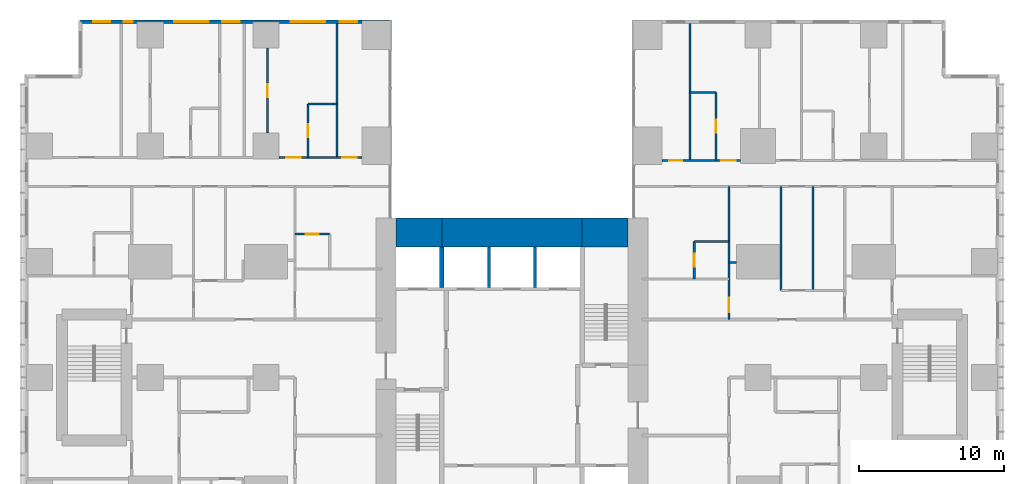
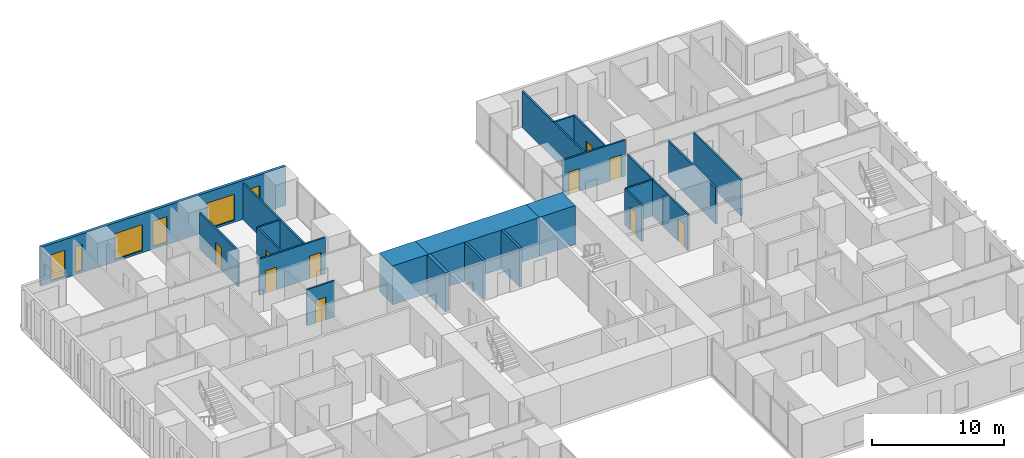
# One storey, part 17 of 20: 23 walls, 10 doors, 6 windows, 16 openings.
"""IFC4 building model written with IfcOpenShell, lengths in metres."""

from ifc_helpers import new_model, si_unit, direction, frame, frame_2d, origin, place, context, subcontext, project, spatial, rectangle, extrude, material, layer, layer_set, type_object, element, fill, save


model = new_model("IFC4")

# Units and contexts
model_context = context("Model", 3, precision=1e-05, world=origin(), true_north=direction((0.0, 1.0)))
body_context = subcontext(model_context, "Body", "Model", "MODEL_VIEW")
ifc_project = project(units=[si_unit("LENGTHUNIT", "METRE"), si_unit("AREAUNIT", "SQUARE_METRE"), si_unit("VOLUMEUNIT", "CUBIC_METRE"), si_unit("PLANEANGLEUNIT", "RADIAN"), si_unit("MASSUNIT", "GRAM", prefix="KILO")], contexts=[model_context])

# Site, building, storey
site_placement = place(None, origin())
site = spatial("IfcSite", under=ifc_project, at=site_placement, CompositionType="ELEMENT")
building_placement = place(site_placement, origin())
building = spatial("IfcBuilding", under=site, at=building_placement, Name="Cleftline Residences", CompositionType="ELEMENT")
storey_placement = place(building_placement, frame((0.0, 0.0, 203.800048828125)))
storey = spatial("IfcBuildingStorey", under=building, at=storey_placement, Name="L53", CompositionType="ELEMENT", Elevation=203.800048828125)

# Walls
ifc_material_1 = material(Name="Concrete B70", Category="concrete")
ifc_layer_1 = layer(ifc_material_1, 2.0)
ifc_layer_set_1 = layer_set([ifc_layer_1], Name="CORE WALL 2000")
wall_type_1 = type_object("IfcWallType", Name="CORE WALL 2000", PredefinedType="SHEAR", material=ifc_layer_set_1)
wall_1_placement = place(storey_placement, frame((25.0, 34.0, 0.0), z_axis=(0.0, 0.0, 1.0), x_axis=(1.0, 0.0, 0.0)))
element("IfcWall", 1, at=wall_1_placement, inside=storey, type_object=wall_type_1, Name="Core wall N1", PredefinedType="SHEAR", context=body_context, shape_type="SweptSolid", body=[
    extrude(rectangle(XDim=3.14990234375, YDim=2.0, at=frame_2d((1.574951171875, 0.0))), origin(), (0.0, 0.0, 1.0), 3.599853515625),
])
wall_2_placement = place(storey_placement, frame((28.14990234375, 34.0, 0.0), z_axis=(0.0, 0.0, 1.0), x_axis=(1.0, 0.0, 0.0)))
element("IfcWall", 2, at=wall_2_placement, inside=storey, type_object=wall_type_1, Name="Core wall N2", PredefinedType="SHEAR", context=body_context, shape_type="SweptSolid", body=[
    extrude(rectangle(XDim=9.7001953125, YDim=2.0, at=frame_2d((4.85009765625, 0.0))), origin(), (0.0, 0.0, 1.0), 3.599853515625),
])
wall_3_placement = place(storey_placement, frame((37.85009765625, 34.0, 0.0), z_axis=(0.0, 0.0, 1.0), x_axis=(1.0, 0.0, 0.0)))
element("IfcWall", 3, at=wall_3_placement, inside=storey, type_object=wall_type_1, Name="Core wall N3", PredefinedType="SHEAR", context=body_context, shape_type="SweptSolid", body=[
    extrude(rectangle(XDim=3.14990234375, YDim=2.0, at=frame_2d((1.574951171875, 0.0))), origin(), (0.0, 0.0, 1.0), 3.599853515625),
])
ifc_material_2 = material(Name="Concrete B70", Category="concrete")
ifc_layer_2 = layer(ifc_material_2, 0.300048828125)
ifc_layer_set_2 = layer_set([ifc_layer_2], Name="CORE WALL 300")
wall_type_2 = type_object("IfcWallType", Name="CORE WALL 300", PredefinedType="SHEAR", material=ifc_layer_set_2)
wall_4_placement = place(storey_placement, frame((28.14990234375, 30.199951171875, 0.0), z_axis=(0.0, 0.0, 1.0), x_axis=(0.0, 1.0, 0.0)))
element("IfcWall", 4, at=wall_4_placement, inside=storey, type_object=wall_type_2, Name="Lift shaft wall", PredefinedType="SHEAR", context=body_context, shape_type="SweptSolid", body=[
    extrude(rectangle(XDim=2.800048828125, YDim=0.300048828125, at=frame_2d((1.39990234375, 0.0))), origin(), (0.0, 0.0, 1.0), 3.599853515625),
])

# Wall, openings, windows
ifc_material_3 = material(Name="Rendered reinforced concrete blockwork", Category="masonry")
ifc_layer_3 = layer(ifc_material_3, 0.25)
ifc_layer_set_3 = layer_set([ifc_layer_3], Name="EXTERNAL WALL 250")
wall_type_3 = type_object("IfcWallType", Name="EXTERNAL WALL 250", PredefinedType="SOLIDWALL", material=ifc_layer_set_3)
wall_5_placement = place(storey_placement, frame((24.574951171875, 48.574951171875, 0.0), z_axis=(0.0, 0.0, 1.0), x_axis=(-1.0, 0.0, 0.0)))
wall_5 = element("IfcWall", 5, at=wall_5_placement, inside=storey, type_object=wall_type_3, Name="External wall", PredefinedType="SOLIDWALL", context=body_context, shape_type="SweptSolid", body=[
    extrude(rectangle(XDim=21.39990234375, YDim=0.25, at=frame_2d((10.699951171875, 0.0))), origin(), (0.0, 0.0, 1.0), 3.599853515625),
])
opening_1_placement = place(wall_5_placement, frame((2.27490234375, 0.0, 0.199951171875)))
opening_1 = element("IfcOpeningElement", 6, at=opening_1_placement, cuts=wall_5, Name="Opening W13", PredefinedType="OPENING", context=body_context, shape_type="SweptSolid", body=[
    extrude(rectangle(XDim=1.199951171875, YDim=2.39990234375, at=frame_2d((0.60009765625, 1.199951171875))), frame((0.0, 0.135009765625, 0.0), z_axis=(0.0, -1.0, 0.0), x_axis=(1.0, 0.0, 0.0)), (0.0, 0.0, 1.0), 0.27001953125),
])
opening_2_placement = place(wall_5_placement, frame((4.47509765625, 0.0, 0.199951171875)))
opening_2 = element("IfcOpeningElement", 7, at=opening_2_placement, cuts=wall_5, Name="Opening W9", PredefinedType="OPENING", context=body_context, shape_type="SweptSolid", body=[
    extrude(rectangle(XDim=2.39990234375, YDim=2.39990234375, at=frame_2d((1.199951171875, 1.199951171875))), frame((0.0, 0.135009765625, 0.0), z_axis=(0.0, -1.0, 0.0), x_axis=(1.0, 0.0, 0.0)), (0.0, 0.0, 1.0), 0.27001953125),
])
opening_3_placement = place(wall_5_placement, frame((10.39990234375, 0.0, 0.199951171875)))
opening_3 = element("IfcOpeningElement", 8, at=opening_3_placement, cuts=wall_5, Name="Opening W13", PredefinedType="OPENING", context=body_context, shape_type="SweptSolid", body=[
    extrude(rectangle(XDim=1.199951171875, YDim=2.39990234375, at=frame_2d((0.60009765625, 1.199951171875))), frame((0.0, 0.135009765625, 0.0), z_axis=(0.0, -1.0, 0.0), x_axis=(1.0, 0.0, 0.0)), (0.0, 0.0, 1.0), 0.27001953125),
])
opening_4_placement = place(wall_5_placement, frame((12.52490234375, 0.0, 0.199951171875)))
opening_4 = element("IfcOpeningElement", 9, at=opening_4_placement, cuts=wall_5, Name="Opening W9", PredefinedType="OPENING", context=body_context, shape_type="SweptSolid", body=[
    extrude(rectangle(XDim=2.39990234375, YDim=2.39990234375, at=frame_2d((1.199951171875, 1.199951171875))), frame((0.0, 0.135009765625, 0.0), z_axis=(0.0, -1.0, 0.0), x_axis=(1.0, 0.0, 0.0)), (0.0, 0.0, 1.0), 0.27001953125),
])
opening_5_placement = place(wall_5_placement, frame((17.800048828125, 0.0, 0.199951171875)))
opening_5 = element("IfcOpeningElement", 10, at=opening_5_placement, cuts=wall_5, Name="Opening W14", PredefinedType="OPENING", context=body_context, shape_type="SweptSolid", body=[
    extrude(rectangle(XDim=0.60009765625, YDim=2.39990234375, at=frame_2d((0.300048828125, 1.199951171875))), frame((0.0, 0.135009765625, 0.0), z_axis=(0.0, -1.0, 0.0), x_axis=(1.0, 0.0, 0.0)), (0.0, 0.0, 1.0), 0.27001953125),
])
opening_6_placement = place(wall_5_placement, frame((19.324951171875, 0.0, 0.199951171875)))
opening_6 = element("IfcOpeningElement", 11, at=opening_6_placement, cuts=wall_5, Name="Opening W13", PredefinedType="OPENING", context=body_context, shape_type="SweptSolid", body=[
    extrude(rectangle(XDim=1.199951171875, YDim=2.39990234375, at=frame_2d((0.60009765625, 1.199951171875))), frame((0.0, 0.135009765625, 0.0), z_axis=(0.0, -1.0, 0.0), x_axis=(1.0, 0.0, 0.0)), (0.0, 0.0, 1.0), 0.27001953125),
])
ifc_material_4 = material(Name="Aluminium frame, clear double glazing", Category="aluminium")
window_type_1 = type_object("IfcWindowType", Name="WINDOW 1200X2400", PartitioningType="DOUBLE_PANEL_VERTICAL", PredefinedType="WINDOW", material=ifc_material_4)
window_1_placement = place(opening_1_placement, origin())
window_1 = element("IfcWindow", 12, at=window_1_placement, inside=storey, type_object=window_type_1, Name="Window", OverallHeight=2.39990234375, OverallWidth=1.199951171875, PartitioningType="SINGLE_PANEL", PredefinedType="WINDOW", context=body_context, shape_type="SweptSolid", body=[
    extrude(rectangle(XDim=1.199951171875, YDim=2.39990234375, at=frame_2d((0.60009765625, 1.199951171875))), frame((0.0, 0.030029296875, 0.0), z_axis=(0.0, -1.0, 0.0), x_axis=(1.0, 0.0, 0.0)), (0.0, 0.0, 1.0), 0.06005859375),
])
fill(opening_1, window_1)
window_2_placement = place(opening_3_placement, origin())
window_2 = element("IfcWindow", 13, at=window_2_placement, inside=storey, type_object=window_type_1, Name="Window", OverallHeight=2.39990234375, OverallWidth=1.199951171875, PartitioningType="SINGLE_PANEL", PredefinedType="WINDOW", context=body_context, shape_type="SweptSolid", body=[
    extrude(rectangle(XDim=1.199951171875, YDim=2.39990234375, at=frame_2d((0.60009765625, 1.199951171875))), frame((0.0, 0.030029296875, 0.0), z_axis=(0.0, -1.0, 0.0), x_axis=(1.0, 0.0, 0.0)), (0.0, 0.0, 1.0), 0.06005859375),
])
fill(opening_3, window_2)
window_3_placement = place(opening_6_placement, origin())
window_3 = element("IfcWindow", 14, at=window_3_placement, inside=storey, type_object=window_type_1, Name="Window", OverallHeight=2.39990234375, OverallWidth=1.199951171875, PartitioningType="SINGLE_PANEL", PredefinedType="WINDOW", context=body_context, shape_type="SweptSolid", body=[
    extrude(rectangle(XDim=1.199951171875, YDim=2.39990234375, at=frame_2d((0.60009765625, 1.199951171875))), frame((0.0, 0.030029296875, 0.0), z_axis=(0.0, -1.0, 0.0), x_axis=(1.0, 0.0, 0.0)), (0.0, 0.0, 1.0), 0.06005859375),
])
fill(opening_6, window_3)
ifc_material_5 = material(Name="Aluminium frame, clear double glazing", Category="aluminium")
window_type_2 = type_object("IfcWindowType", Name="WINDOW 2400X2400", PartitioningType="DOUBLE_PANEL_VERTICAL", PredefinedType="WINDOW", material=ifc_material_5)
window_4_placement = place(opening_2_placement, origin())
window_4 = element("IfcWindow", 15, at=window_4_placement, inside=storey, type_object=window_type_2, Name="Window", OverallHeight=2.39990234375, OverallWidth=2.39990234375, PartitioningType="SINGLE_PANEL", PredefinedType="WINDOW", context=body_context, shape_type="SweptSolid", body=[
    extrude(rectangle(XDim=2.39990234375, YDim=2.39990234375, at=frame_2d((1.199951171875, 1.199951171875))), frame((0.0, 0.030029296875, 0.0), z_axis=(0.0, -1.0, 0.0), x_axis=(1.0, 0.0, 0.0)), (0.0, 0.0, 1.0), 0.06005859375),
])
fill(opening_2, window_4)
window_5_placement = place(opening_4_placement, origin())
window_5 = element("IfcWindow", 16, at=window_5_placement, inside=storey, type_object=window_type_2, Name="Window", OverallHeight=2.39990234375, OverallWidth=2.39990234375, PartitioningType="SINGLE_PANEL", PredefinedType="WINDOW", context=body_context, shape_type="SweptSolid", body=[
    extrude(rectangle(XDim=2.39990234375, YDim=2.39990234375, at=frame_2d((1.199951171875, 1.199951171875))), frame((0.0, 0.030029296875, 0.0), z_axis=(0.0, -1.0, 0.0), x_axis=(1.0, 0.0, 0.0)), (0.0, 0.0, 1.0), 0.06005859375),
])
fill(opening_4, window_5)
ifc_material_6 = material(Name="Aluminium frame, clear double glazing", Category="aluminium")
window_type_3 = type_object("IfcWindowType", Name="WINDOW 600X2400", PartitioningType="DOUBLE_PANEL_VERTICAL", PredefinedType="WINDOW", material=ifc_material_6)
window_6_placement = place(opening_5_placement, origin())
window_6 = element("IfcWindow", 17, at=window_6_placement, inside=storey, type_object=window_type_3, Name="Window", OverallHeight=2.39990234375, OverallWidth=0.60009765625, PartitioningType="SINGLE_PANEL", PredefinedType="WINDOW", context=body_context, shape_type="SweptSolid", body=[
    extrude(rectangle(XDim=0.60009765625, YDim=2.39990234375, at=frame_2d((0.300048828125, 1.199951171875))), frame((0.0, 0.030029296875, 0.0), z_axis=(0.0, -1.0, 0.0), x_axis=(1.0, 0.0, 0.0)), (0.0, 0.0, 1.0), 0.06005859375),
])
fill(opening_5, window_6)

# Walls
ifc_material_7 = material(Name="Gypsum board on steel studs", Category="steel")
ifc_layer_4 = layer(ifc_material_7, 0.14990234375)
ifc_layer_set_4 = layer_set([ifc_layer_4], Name="PARTITION 150")
wall_type_4 = type_object("IfcWallType", Name="PARTITION 150", PredefinedType="PARTITIONING", material=ifc_layer_set_4)
wall_6_placement = place(storey_placement, frame((48.0, 31.949951171875, 0.0), z_axis=(0.0, 0.0, 1.0), x_axis=(1.0, 0.0, 0.0)))
element("IfcWall", 18, at=wall_6_placement, inside=storey, type_object=wall_type_4, Name="Partition", PredefinedType="PARTITIONING", context=body_context, shape_type="SweptSolid", body=[
    extrude(rectangle(XDim=0.5, YDim=0.14990234375, at=frame_2d((0.25, 0.0))), origin(), (0.0, 0.0, 1.0), 2.634033203125),
])
wall_7_placement = place(storey_placement, frame((45.60009765625, 33.39990234375, 0.0), z_axis=(0.0, 0.0, 1.0), x_axis=(1.0, 0.0, 0.0)))
element("IfcWall", 19, at=wall_7_placement, inside=storey, type_object=wall_type_4, Name="Partition", PredefinedType="PARTITIONING", context=body_context, shape_type="SweptSolid", body=[
    extrude(rectangle(XDim=2.39990234375, YDim=0.14990234375, at=frame_2d((1.199951171875, 0.0))), origin(), (0.0, 0.0, 1.0), 3.349853515625),
])

# Wall, opening, door
wall_8_placement = place(storey_placement, frame((18.0, 33.89990234375, 0.0), z_axis=(0.0, 0.0, 1.0), x_axis=(1.0, 0.0, 0.0)))
wall_8 = element("IfcWall", 20, at=wall_8_placement, inside=storey, type_object=wall_type_4, Name="Partition", PredefinedType="PARTITIONING", context=body_context, shape_type="SweptSolid", body=[
    extrude(rectangle(XDim=2.39990234375, YDim=0.14990234375, at=frame_2d((1.199951171875, 0.0))), origin(), (0.0, 0.0, 1.0), 3.349853515625),
])
opening_7_placement = place(wall_8_placement, frame((0.75, 0.0, 0.0)))
opening_7 = element("IfcOpeningElement", 21, at=opening_7_placement, cuts=wall_8, Name="Opening D1", PredefinedType="OPENING", context=body_context, shape_type="SweptSolid", body=[
    extrude(rectangle(XDim=0.89990234375, YDim=2.10009765625, at=frame_2d((0.449951171875, 1.050048828125))), frame((0.0, 0.0849609375, 0.0), z_axis=(0.0, -1.0, 0.0), x_axis=(1.0, 0.0, 0.0)), (0.0, 0.0, 1.0), 0.169921875),
])
ifc_material_8 = material(Name="Timber veneer on solid core", Category="wood")
door_type_1 = type_object("IfcDoorType", Name="DOOR 900X2100", OperationType="SINGLE_SWING_LEFT", PredefinedType="DOOR", material=ifc_material_8)
door_1_placement = place(opening_7_placement, origin())
door_1 = element("IfcDoor", 22, at=door_1_placement, inside=storey, type_object=door_type_1, Name="Door to staff shower room", OperationType="SINGLE_SWING_LEFT", OverallHeight=2.10009765625, OverallWidth=0.89990234375, PredefinedType="DOOR", context=body_context, shape_type="SweptSolid", body=[
    extrude(rectangle(XDim=0.89990234375, YDim=2.10009765625, at=frame_2d((0.449951171875, 1.050048828125))), frame((0.0, 0.02490234375, 0.0), z_axis=(0.0, -1.0, 0.0), x_axis=(1.0, 0.0, 0.0)), (0.0, 0.0, 1.0), 0.050048828125),
])
fill(opening_7, door_1)

# Wall, openings, doors
wall_9_placement = place(storey_placement, frame((43.35009765625, 39.0, 0.0), z_axis=(0.0, 0.0, 1.0), x_axis=(1.0, 0.0, 0.0)))
wall_9 = element("IfcWall", 23, at=wall_9_placement, inside=storey, type_object=wall_type_4, Name="Partition", PredefinedType="PARTITIONING", context=body_context, shape_type="SweptSolid", body=[
    extrude(rectangle(XDim=5.449951171875, YDim=0.14990234375, at=frame_2d((2.72509765625, 0.0))), origin(), (0.0, 0.0, 1.0), 3.349853515625),
])
opening_8_placement = place(wall_9_placement, frame((4.10009765625, 0.0, 0.0)))
opening_8 = element("IfcOpeningElement", 24, at=opening_8_placement, cuts=wall_9, Name="Opening D2", PredefinedType="OPENING", context=body_context, shape_type="SweptSolid", body=[
    extrude(rectangle(XDim=1.0, YDim=2.10009765625, at=frame_2d((0.5, 1.050048828125))), frame((0.0, 0.0849609375, 0.0), z_axis=(0.0, -1.0, 0.0), x_axis=(1.0, 0.0, 0.0)), (0.0, 0.0, 1.0), 0.169921875),
])
opening_9_placement = place(wall_9_placement, frame((0.52490234375, 0.0, 0.0)))
opening_9 = element("IfcOpeningElement", 25, at=opening_9_placement, cuts=wall_9, Name="Opening D1", PredefinedType="OPENING", context=body_context, shape_type="SweptSolid", body=[
    extrude(rectangle(XDim=0.89990234375, YDim=2.10009765625, at=frame_2d((0.449951171875, 1.050048828125))), frame((0.0, 0.0849609375, 0.0), z_axis=(0.0, -1.0, 0.0), x_axis=(1.0, 0.0, 0.0)), (0.0, 0.0, 1.0), 0.169921875),
])
ifc_material_9 = material(Name="Timber veneer on solid core", Category="wood")
door_type_2 = type_object("IfcDoorType", Name="DOOR 1000X2100", OperationType="SINGLE_SWING_LEFT", PredefinedType="DOOR", material=ifc_material_9)
door_2_placement = place(opening_8_placement, origin())
door_2 = element("IfcDoor", 26, at=door_2_placement, inside=storey, type_object=door_type_2, Name="Door to bedroom 3", OperationType="SINGLE_SWING_LEFT", OverallHeight=2.10009765625, OverallWidth=1.0, PredefinedType="DOOR", context=body_context, shape_type="SweptSolid", body=[
    extrude(rectangle(XDim=1.0, YDim=2.10009765625, at=frame_2d((0.5, 1.050048828125))), frame((0.0, 0.02490234375, 0.0), z_axis=(0.0, -1.0, 0.0), x_axis=(1.0, 0.0, 0.0)), (0.0, 0.0, 1.0), 0.050048828125),
])
fill(opening_8, door_2)
door_3_placement = place(opening_9_placement, origin())
door_3 = element("IfcDoor", 27, at=door_3_placement, inside=storey, type_object=door_type_1, Name="Door to dressing room", OperationType="SINGLE_SWING_RIGHT", OverallHeight=2.10009765625, OverallWidth=0.89990234375, PredefinedType="DOOR", context=body_context, shape_type="SweptSolid", body=[
    extrude(rectangle(XDim=0.89990234375, YDim=2.10009765625, at=frame_2d((0.449951171875, 1.050048828125))), frame((0.0, 0.02490234375, 0.0), z_axis=(0.0, -1.0, 0.0), x_axis=(1.0, 0.0, 0.0)), (0.0, 0.0, 1.0), 0.050048828125),
])
fill(opening_9, door_3)

wall_10_placement = place(storey_placement, frame((16.89990234375, 39.199951171875, 0.0), z_axis=(0.0, 0.0, 1.0), x_axis=(1.0, 0.0, 0.0)))
wall_10 = element("IfcWall", 28, at=wall_10_placement, inside=storey, type_object=wall_type_4, Name="Partition", PredefinedType="PARTITIONING", context=body_context, shape_type="SweptSolid", body=[
    extrude(rectangle(XDim=5.75, YDim=0.14990234375, at=frame_2d((2.875, 0.0))), origin(), (0.0, 0.0, 1.0), 3.349853515625),
])
opening_10_placement = place(wall_10_placement, frame((0.5, 0.0, 0.0)))
opening_10 = element("IfcOpeningElement", 29, at=opening_10_placement, cuts=wall_10, Name="Opening D2", PredefinedType="OPENING", context=body_context, shape_type="SweptSolid", body=[
    extrude(rectangle(XDim=1.0, YDim=2.10009765625, at=frame_2d((0.5, 1.050048828125))), frame((0.0, 0.0849609375, 0.0), z_axis=(0.0, -1.0, 0.0), x_axis=(1.0, 0.0, 0.0)), (0.0, 0.0, 1.0), 0.169921875),
])
opening_11_placement = place(wall_10_placement, frame((4.375, 0.0, 0.0)))
opening_11 = element("IfcOpeningElement", 30, at=opening_11_placement, cuts=wall_10, Name="Opening D2", PredefinedType="OPENING", context=body_context, shape_type="SweptSolid", body=[
    extrude(rectangle(XDim=1.0, YDim=2.10009765625, at=frame_2d((0.5, 1.050048828125))), frame((0.0, 0.0849609375, 0.0), z_axis=(0.0, -1.0, 0.0), x_axis=(1.0, 0.0, 0.0)), (0.0, 0.0, 1.0), 0.169921875),
])
door_4_placement = place(opening_10_placement, origin())
door_4 = element("IfcDoor", 31, at=door_4_placement, inside=storey, type_object=door_type_2, Name="Door to bedroom 3", OperationType="SINGLE_SWING_RIGHT", OverallHeight=2.10009765625, OverallWidth=1.0, PredefinedType="DOOR", context=body_context, shape_type="SweptSolid", body=[
    extrude(rectangle(XDim=1.0, YDim=2.10009765625, at=frame_2d((0.5, 1.050048828125))), frame((0.0, 0.02490234375, 0.0), z_axis=(0.0, -1.0, 0.0), x_axis=(1.0, 0.0, 0.0)), (0.0, 0.0, 1.0), 0.050048828125),
])
fill(opening_10, door_4)
door_5_placement = place(opening_11_placement, origin())
door_5 = element("IfcDoor", 32, at=door_5_placement, inside=storey, type_object=door_type_2, Name="Door to bedroom 3 sitting room", OperationType="SINGLE_SWING_LEFT", OverallHeight=2.10009765625, OverallWidth=1.0, PredefinedType="DOOR", context=body_context, shape_type="SweptSolid", body=[
    extrude(rectangle(XDim=1.0, YDim=2.10009765625, at=frame_2d((0.5, 1.050048828125))), frame((0.0, 0.02490234375, 0.0), z_axis=(0.0, -1.0, 0.0), x_axis=(1.0, 0.0, 0.0)), (0.0, 0.0, 1.0), 0.050048828125),
])
fill(opening_11, door_5)

# Walls
wall_11_placement = place(storey_placement, frame((18.89990234375, 42.89990234375, 0.0), z_axis=(0.0, 0.0, 1.0), x_axis=(1.0, 0.0, 0.0)))
element("IfcWall", 33, at=wall_11_placement, inside=storey, type_object=wall_type_4, Name="Partition", PredefinedType="PARTITIONING", context=body_context, shape_type="SweptSolid", body=[
    extrude(rectangle(XDim=2.0, YDim=0.14990234375, at=frame_2d((1.0, 0.0))), origin(), (0.0, 0.0, 1.0), 3.349853515625),
])
wall_12_placement = place(storey_placement, frame((45.300048828125, 43.699951171875, 0.0), z_axis=(0.0, 0.0, 1.0), x_axis=(1.0, 0.0, 0.0)))
element("IfcWall", 34, at=wall_12_placement, inside=storey, type_object=wall_type_4, Name="Partition", PredefinedType="PARTITIONING", context=body_context, shape_type="SweptSolid", body=[
    extrude(rectangle(XDim=1.800048828125, YDim=0.14990234375, at=frame_2d((0.89990234375, 0.0))), origin(), (0.0, 0.0, 1.0), 3.349853515625),
])

# Wall, opening, door
wall_13_placement = place(storey_placement, frame((16.10009765625, 40.89990234375, 0.0), z_axis=(0.0, 0.0, 1.0), x_axis=(0.0, 1.0, 0.0)))
wall_13 = element("IfcWall", 35, at=wall_13_placement, inside=storey, type_object=wall_type_4, Name="Partition", PredefinedType="PARTITIONING", context=body_context, shape_type="SweptSolid", body=[
    extrude(rectangle(XDim=5.85009765625, YDim=0.14990234375, at=frame_2d((2.925048828125, 0.0))), origin(), (0.0, 0.0, 1.0), 3.349853515625),
])
opening_12_placement = place(wall_13_placement, frame((2.47509765625, 0.0, 0.0)))
opening_12 = element("IfcOpeningElement", 36, at=opening_12_placement, cuts=wall_13, Name="Opening D1", PredefinedType="OPENING", context=body_context, shape_type="SweptSolid", body=[
    extrude(rectangle(XDim=0.89990234375, YDim=2.10009765625, at=frame_2d((0.449951171875, 1.050048828125))), frame((0.0, 0.0849609375, 0.0), z_axis=(0.0, -1.0, 0.0), x_axis=(1.0, 0.0, 0.0)), (0.0, 0.0, 1.0), 0.169921875),
])
door_6_placement = place(opening_12_placement, origin())
door_6 = element("IfcDoor", 37, at=door_6_placement, inside=storey, type_object=door_type_1, Name="Door to walk-in wardrobe", OperationType="SINGLE_SWING_LEFT", OverallHeight=2.10009765625, OverallWidth=0.89990234375, PredefinedType="DOOR", context=body_context, shape_type="SweptSolid", body=[
    extrude(rectangle(XDim=0.89990234375, YDim=2.10009765625, at=frame_2d((0.449951171875, 1.050048828125))), frame((0.0, 0.02490234375, 0.0), z_axis=(0.0, -1.0, 0.0), x_axis=(1.0, 0.0, 0.0)), (0.0, 0.0, 1.0), 0.050048828125),
])
fill(opening_12, door_6)

wall_14_placement = place(storey_placement, frame((18.89990234375, 39.199951171875, 0.0), z_axis=(0.0, 0.0, 1.0), x_axis=(0.0, 1.0, 0.0)))
wall_14 = element("IfcWall", 38, at=wall_14_placement, inside=storey, type_object=wall_type_4, Name="Partition", PredefinedType="PARTITIONING", context=body_context, shape_type="SweptSolid", body=[
    extrude(rectangle(XDim=3.699951171875, YDim=0.14990234375, at=frame_2d((1.85009765625, 0.0))), origin(), (0.0, 0.0, 1.0), 3.349853515625),
])
opening_13_placement = place(wall_14_placement, frame((1.39990234375, 0.0, 0.0)))
opening_13 = element("IfcOpeningElement", 39, at=opening_13_placement, cuts=wall_14, Name="Opening D1", PredefinedType="OPENING", context=body_context, shape_type="SweptSolid", body=[
    extrude(rectangle(XDim=0.89990234375, YDim=2.10009765625, at=frame_2d((0.449951171875, 1.050048828125))), frame((0.0, 0.0849609375, 0.0), z_axis=(0.0, -1.0, 0.0), x_axis=(1.0, 0.0, 0.0)), (0.0, 0.0, 1.0), 0.169921875),
])
door_7_placement = place(opening_13_placement, origin())
door_7 = element("IfcDoor", 40, at=door_7_placement, inside=storey, type_object=door_type_1, Name="Door to en-suite bathroom 3", OperationType="SINGLE_SWING_LEFT", OverallHeight=2.10009765625, OverallWidth=0.89990234375, PredefinedType="DOOR", context=body_context, shape_type="SweptSolid", body=[
    extrude(rectangle(XDim=0.89990234375, YDim=2.10009765625, at=frame_2d((0.449951171875, 1.050048828125))), frame((0.0, 0.02490234375, 0.0), z_axis=(0.0, -1.0, 0.0), x_axis=(1.0, 0.0, 0.0)), (0.0, 0.0, 1.0), 0.050048828125),
])
fill(opening_13, door_7)

# Walls
wall_15_placement = place(storey_placement, frame((20.89990234375, 39.199951171875, 0.0), z_axis=(0.0, 0.0, 1.0), x_axis=(0.0, 1.0, 0.0)))
element("IfcWall", 41, at=wall_15_placement, inside=storey, type_object=wall_type_4, Name="Partition", PredefinedType="PARTITIONING", context=body_context, shape_type="SweptSolid", body=[
    extrude(rectangle(XDim=9.25, YDim=0.14990234375, at=frame_2d((4.625, 0.0))), origin(), (0.0, 0.0, 1.0), 3.349853515625),
])
wall_16_placement = place(storey_placement, frame((45.300048828125, 39.0, 0.0), z_axis=(0.0, 0.0, 1.0), x_axis=(0.0, 1.0, 0.0)))
element("IfcWall", 42, at=wall_16_placement, inside=storey, type_object=wall_type_4, Name="Partition", PredefinedType="PARTITIONING", context=body_context, shape_type="SweptSolid", body=[
    extrude(rectangle(XDim=9.449951171875, YDim=0.14990234375, at=frame_2d((4.72509765625, 0.0))), origin(), (0.0, 0.0, 1.0), 3.349853515625),
])

# Wall, opening, door
wall_17_placement = place(storey_placement, frame((45.60009765625, 30.800048828125, 0.0), z_axis=(0.0, 0.0, 1.0), x_axis=(0.0, 1.0, 0.0)))
wall_17 = element("IfcWall", 43, at=wall_17_placement, inside=storey, type_object=wall_type_4, Name="Partition", PredefinedType="PARTITIONING", context=body_context, shape_type="SweptSolid", body=[
    extrude(rectangle(XDim=2.599853515625, YDim=0.14990234375, at=frame_2d((1.2998046875, 0.0))), origin(), (0.0, 0.0, 1.0), 3.349853515625),
])
opening_14_placement = place(wall_17_placement, frame((0.85009765625, 0.0, 0.0)))
opening_14 = element("IfcOpeningElement", 44, at=opening_14_placement, cuts=wall_17, Name="Opening D1", PredefinedType="OPENING", context=body_context, shape_type="SweptSolid", body=[
    extrude(rectangle(XDim=0.89990234375, YDim=2.10009765625, at=frame_2d((0.449951171875, 1.050048828125))), frame((0.0, 0.0849609375, 0.0), z_axis=(0.0, -1.0, 0.0), x_axis=(1.0, 0.0, 0.0)), (0.0, 0.0, 1.0), 0.169921875),
])
door_8_placement = place(opening_14_placement, origin())
door_8 = element("IfcDoor", 45, at=door_8_placement, inside=storey, type_object=door_type_1, Name="Door to en-suite bathroom 4", OperationType="SINGLE_SWING_LEFT", OverallHeight=2.10009765625, OverallWidth=0.89990234375, PredefinedType="DOOR", context=body_context, shape_type="SweptSolid", body=[
    extrude(rectangle(XDim=0.89990234375, YDim=2.10009765625, at=frame_2d((0.449951171875, 1.050048828125))), frame((0.0, 0.02490234375, 0.0), z_axis=(0.0, -1.0, 0.0), x_axis=(1.0, 0.0, 0.0)), (0.0, 0.0, 1.0), 0.050048828125),
])
fill(opening_14, door_8)

wall_18_placement = place(storey_placement, frame((47.10009765625, 39.0, 0.0), z_axis=(0.0, 0.0, 1.0), x_axis=(0.0, 1.0, 0.0)))
wall_18 = element("IfcWall", 46, at=wall_18_placement, inside=storey, type_object=wall_type_4, Name="Partition", PredefinedType="PARTITIONING", context=body_context, shape_type="SweptSolid", body=[
    extrude(rectangle(XDim=4.699951171875, YDim=0.14990234375, at=frame_2d((2.35009765625, 0.0))), origin(), (0.0, 0.0, 1.0), 3.349853515625),
])
opening_15_placement = place(wall_18_placement, frame((1.89990234375, 0.0, 0.0)))
opening_15 = element("IfcOpeningElement", 47, at=opening_15_placement, cuts=wall_18, Name="Opening D1", PredefinedType="OPENING", context=body_context, shape_type="SweptSolid", body=[
    extrude(rectangle(XDim=0.89990234375, YDim=2.10009765625, at=frame_2d((0.449951171875, 1.050048828125))), frame((0.0, 0.0849609375, 0.0), z_axis=(0.0, -1.0, 0.0), x_axis=(1.0, 0.0, 0.0)), (0.0, 0.0, 1.0), 0.169921875),
])
door_9_placement = place(opening_15_placement, origin())
door_9 = element("IfcDoor", 48, at=door_9_placement, inside=storey, type_object=door_type_1, Name="Door to en-suite bathroom 3", OperationType="SINGLE_SWING_LEFT", OverallHeight=2.10009765625, OverallWidth=0.89990234375, PredefinedType="DOOR", context=body_context, shape_type="SweptSolid", body=[
    extrude(rectangle(XDim=0.89990234375, YDim=2.10009765625, at=frame_2d((0.449951171875, 1.050048828125))), frame((0.0, 0.02490234375, 0.0), z_axis=(0.0, -1.0, 0.0), x_axis=(1.0, 0.0, 0.0)), (0.0, 0.0, 1.0), 0.050048828125),
])
fill(opening_15, door_9)

wall_19_placement = place(storey_placement, frame((48.0, 28.0, 0.0), z_axis=(0.0, 0.0, 1.0), x_axis=(0.0, 1.0, 0.0)))
wall_19 = element("IfcWall", 49, at=wall_19_placement, inside=storey, type_object=wall_type_4, Name="Partition", PredefinedType="PARTITIONING", context=body_context, shape_type="SweptSolid", body=[
    extrude(rectangle(XDim=9.199951171875, YDim=0.14990234375, at=frame_2d((4.60009765625, 0.0))), origin(), (0.0, 0.0, 1.0), 3.349853515625),
])
opening_16_placement = place(wall_19_placement, frame((0.5, 0.0, 0.0)))
opening_16 = element("IfcOpeningElement", 50, at=opening_16_placement, cuts=wall_19, Name="Opening D2", PredefinedType="OPENING", context=body_context, shape_type="SweptSolid", body=[
    extrude(rectangle(XDim=1.0, YDim=2.10009765625, at=frame_2d((0.5, 1.050048828125))), frame((0.0, 0.0849609375, 0.0), z_axis=(0.0, -1.0, 0.0), x_axis=(1.0, 0.0, 0.0)), (0.0, 0.0, 1.0), 0.169921875),
])
door_10_placement = place(opening_16_placement, origin())
door_10 = element("IfcDoor", 51, at=door_10_placement, inside=storey, type_object=door_type_2, Name="Door to morning kitchen", OperationType="SINGLE_SWING_RIGHT", OverallHeight=2.10009765625, OverallWidth=1.0, PredefinedType="DOOR", context=body_context, shape_type="SweptSolid", body=[
    extrude(rectangle(XDim=1.0, YDim=2.10009765625, at=frame_2d((0.5, 1.050048828125))), frame((0.0, 0.02490234375, 0.0), z_axis=(0.0, -1.0, 0.0), x_axis=(1.0, 0.0, 0.0)), (0.0, 0.0, 1.0), 0.050048828125),
])
fill(opening_16, door_10)

# Walls
for number, where, z_axis, x_axis, name in (
    (52, (51.60009765625, 30.0, 0.0), (0.0, 0.0, 1.0), (0.0, 1.0, 0.0), "Partition"),
    (53, (53.800048828125, 30.0, 0.0), (0.0, 0.0, 1.0), (0.0, 1.0, 0.0), "Partition"),
):
    element("IfcWall", number, at=place(storey_placement, frame(where, z_axis=z_axis, x_axis=x_axis)), inside=storey, type_object=wall_type_4, Name=name, PredefinedType="PARTITIONING", context=body_context, shape_type="SweptSolid", body=[
        extrude(rectangle(XDim=7.199951171875, YDim=0.14990234375, at=frame_2d((3.60009765625, 0.0))), origin(), (0.0, 0.0, 1.0), 3.349853515625),
    ])
ifc_material_10 = material(Name="Concrete blockwork, fire rated", Category="masonry")
ifc_layer_5 = layer(ifc_material_10, 0.199951171875)
ifc_layer_set_5 = layer_set([ifc_layer_5], Name="SHAFT WALL 200")
wall_type_5 = type_object("IfcWallType", Name="SHAFT WALL 200", PredefinedType="PARTITIONING", material=ifc_layer_set_5)
for number, where, z_axis, x_axis, name in (
    (54, (31.39990234375, 30.199951171875, 0.0), (0.0, 0.0, 1.0), (0.0, 1.0, 0.0), "Lift shaft wall"),
    (55, (34.60009765625, 30.199951171875, 0.0), (0.0, 0.0, 1.0), (0.0, 1.0, 0.0), "Lift shaft wall"),
):
    element("IfcWall", number, at=place(storey_placement, frame(where, z_axis=z_axis, x_axis=x_axis)), inside=storey, type_object=wall_type_5, Name=name, PredefinedType="PARTITIONING", context=body_context, shape_type="SweptSolid", body=[
        extrude(rectangle(XDim=2.800048828125, YDim=0.199951171875, at=frame_2d((1.39990234375, 0.0))), origin(), (0.0, 0.0, 1.0), 3.599853515625),
    ])

save(model, "model.ifc")
